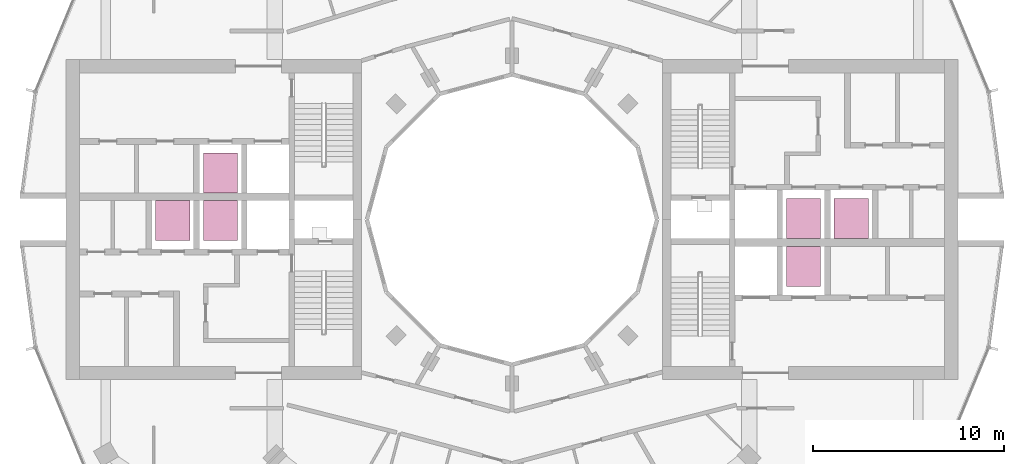
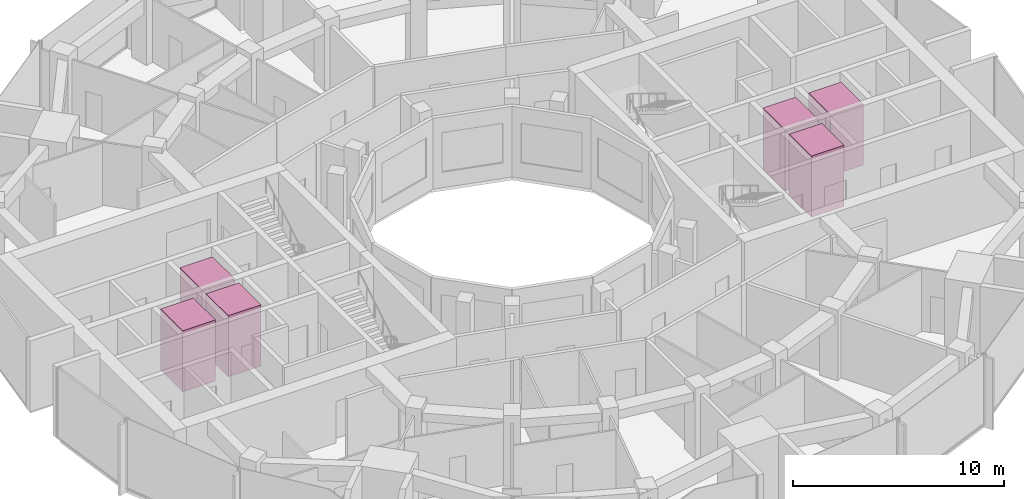
# One storey, part 15 of 15: 6 transport elements.
"""IFC4 building model written with IfcOpenShell, lengths in metres."""

import ifcopenshell
import ifcopenshell.guid

model = None  # the IFC model being written
_history = None  # IfcOwnerHistory: only IFC2X3 demands one
_inside = {}  # id of a spatial element -> (the spatial element, [elements in it])
_under = {}  # id of a project, library or spatial element -> (it, [spatial elements below it])
_declared = {}  # id of a project -> (the project, [libraries it declares])
_typed = {}  # id of a type object -> (the type object, [elements of that type])
_made_of = {}  # id of a material, layer set ... -> (it, [elements and type objects made of it])


def new_model(schema):
    """Start an empty IFC model of exactly this schema.

    Asked for "IFC4X3", IfcOpenShell would pick the latest addendum, in which some entities
    have other attributes; the version numbers below select the first issue.
    IFC2X3 requires an IfcOwnerHistory on every rooted entity: one is made here for all.
    """
    global model, _history
    if schema == "IFC4X3":
        model = ifcopenshell.file(schema_version=(4, 3, 0, 0))
    else:
        model = ifcopenshell.file(schema=schema)
    _inside.clear()
    _under.clear()
    _declared.clear()
    _typed.clear()
    _made_of.clear()
    _history = None
    if model.schema == "IFC2X3":
        org = make("IfcOrganization", Name="unknown")
        user = make(
            "IfcPersonAndOrganization",
            ThePerson=make("IfcPerson", FamilyName="unknown"),
            TheOrganization=org,
        )
        app = make(
            "IfcApplication",
            ApplicationDeveloper=org,
            Version="unknown",
            ApplicationFullName="unknown",
            ApplicationIdentifier="unknown",
        )
        _history = make(
            "IfcOwnerHistory",
            OwningUser=user,
            OwningApplication=app,
            ChangeAction="ADDED",
            CreationDate=0,
        )
    return model


def make(cls, **values):
    """One entity of the class cls with the attributes given. An attribute that is None is left unset."""
    return model.create_entity(
        cls, **{name: value for name, value in values.items() if value is not None}
    )


def rooted(cls, **values):
    """An entity with a GlobalId (a new one), such as an element, a storey or a relation."""
    return make(cls, GlobalId=ifcopenshell.guid.new(), OwnerHistory=_history, **values)


def si_unit(unit_type, name, prefix=None):
    """IfcSIUnit, for example si_unit("LENGTHUNIT", "METRE", prefix="MILLI")."""
    return make("IfcSIUnit", UnitType=unit_type, Prefix=prefix, Name=name)


def assignment(units):
    """IfcUnitAssignment: the units of a project."""
    return None if units is None else make("IfcUnitAssignment", Units=units)


def point(xyz):
    """IfcCartesianPoint."""
    return None if xyz is None else make("IfcCartesianPoint", Coordinates=xyz)


def direction(xyz):
    """IfcDirection."""
    return None if xyz is None else make("IfcDirection", DirectionRatios=xyz)


def frame(location, z_axis=None, x_axis=None):
    """IfcAxis2Placement3D, a coordinate frame: its origin and axes. An axis left out is left unset."""
    return make(
        "IfcAxis2Placement3D",
        Location=point(location),
        Axis=direction(z_axis),
        RefDirection=direction(x_axis),
    )


def frame_2d(location, x_axis=None):
    """IfcAxis2Placement2D, a coordinate frame in the plane: its origin and x axis."""
    return make(
        "IfcAxis2Placement2D", Location=point(location), RefDirection=direction(x_axis)
    )


def origin():
    """The frame at (0, 0, 0) with its axes left unset."""
    return frame((0.0, 0.0, 0.0))


def origin_2d():
    """The frame at (0, 0) in the plane with its x axis left unset."""
    return frame_2d((0.0, 0.0))


def place(relative_to, where):
    """IfcLocalPlacement: puts the frame where relative to a parent placement (None: the world)."""
    return make(
        "IfcLocalPlacement", PlacementRelTo=relative_to, RelativePlacement=where
    )


def context(
    kind, dimensions, precision=None, world=None, true_north=None, identifier=None
):
    """IfcGeometricRepresentationContext, for example the 3D "Model" context."""
    return make(
        "IfcGeometricRepresentationContext",
        ContextIdentifier=identifier,
        ContextType=kind,
        CoordinateSpaceDimension=dimensions,
        Precision=precision,
        WorldCoordinateSystem=world,
        TrueNorth=true_north,
    )


def subcontext(parent, identifier, kind, view, scale=None):
    """IfcGeometricRepresentationSubContext, for example "Body" below "Model"."""
    return make(
        "IfcGeometricRepresentationSubContext",
        ContextIdentifier=identifier,
        ContextType=kind,
        ParentContext=parent,
        TargetScale=scale,
        TargetView=view,
    )


def project(units=None, contexts=None):
    """IfcProject with its units and contexts."""
    return rooted(
        "IfcProject",
        Name="project",
        RepresentationContexts=contexts,
        UnitsInContext=assignment(units),
    )


def spatial(cls, under=None, at=None, **own):
    """A site, building, storey or space (cls), placed at a placement, below another one or the project."""
    s = rooted(cls, ObjectPlacement=at, **own)
    if under is not None:
        _under.setdefault(under.id(), (under, []))[1].append(s)
    return s


def profile(cls, at=None, kind="AREA", **sizes):
    """A parametric profile (cls). Its sizes go by their IFC names, for example OverallWidth=200.0."""
    return make(cls, ProfileType=kind, Position=at, **sizes)


def rectangle(**sizes):
    """IfcRectangleProfileDef."""
    return profile("IfcRectangleProfileDef", **sizes)


def extrude(swept, where, along, depth):
    """IfcExtrudedAreaSolid: the profile swept, set in the frame where, extruded along a direction by depth."""
    return make(
        "IfcExtrudedAreaSolid",
        SweptArea=swept,
        Position=where,
        ExtrudedDirection=direction(along),
        Depth=depth,
    )


def shape(context_of_items, identifier, shape_type, items):
    """IfcShapeRepresentation: the items that make up one representation, for example the "Body"."""
    return make(
        "IfcShapeRepresentation",
        ContextOfItems=context_of_items,
        RepresentationIdentifier=identifier,
        RepresentationType=shape_type,
        Items=items,
    )


def material(Name=None, Category=None):
    """IfcMaterial."""
    return make("IfcMaterial", Name=Name, Category=Category)


def made_of(thing, what):
    """Note that an element or type object is made of a material, layer set ...; save() writes the relation."""
    if what is not None:
        _made_of.setdefault(what.id(), (what, []))[1].append(thing)
    return thing


def type_object(cls, material=None, **own):
    """A type object (cls), such as IfcWallType, which elements share."""
    return made_of(rooted(cls, **own), material)


def element(
    cls,
    number,
    at=None,
    inside=None,
    cuts=None,
    type_object=None,
    material=None,
    context=None,
    identifier="Body",
    shape_type=None,
    held_by="IfcProductDefinitionShape",
    body=None,
    shapes=None,
    **own,
):
    """One element of the class cls, such as IfcWall. Its Tag is "e" and its number.

    at: its placement. inside: the storey or other place that contains it. cuts: it is an
    opening in that element (IfcRelVoidsElement). A single representation is given by context,
    identifier, shape_type and body (its items); several are given by shapes. held_by: the class
    of the entity that holds the representations. save() writes the other relations.
    """
    e = rooted(cls, Tag="e%d" % number, ObjectPlacement=at, **own)
    if body is not None:
        shapes = [shape(context, identifier, shape_type, body)]
    if shapes is not None:
        e.Representation = make(held_by, Representations=shapes)
    if inside is not None:
        _inside.setdefault(inside.id(), (inside, []))[1].append(e)
    if cuts is not None:
        rooted(
            "IfcRelVoidsElement", RelatingBuildingElement=cuts, RelatedOpeningElement=e
        )
    if type_object is not None:
        _typed.setdefault(type_object.id(), (type_object, []))[1].append(e)
    return made_of(e, material)


def aggregate(whole, parts):
    """IfcRelAggregates: a whole, such as a stair, and the parts it consists of."""
    return rooted("IfcRelAggregates", RelatingObject=whole, RelatedObjects=parts)


def save(model, path):
    """Write the relations noted so far, then the file.

    IfcRelAggregates (storeys below a building ...), IfcRelContainedInSpatialStructure (elements
    in a storey), IfcRelDefinesByType, IfcRelAssociatesMaterial and IfcRelDeclares: one each for
    every whole, place, type object, material and project.
    """
    for whole, parts in _under.values():
        aggregate(whole, parts)
    for where, things in _inside.values():
        rooted(
            "IfcRelContainedInSpatialStructure",
            RelatedElements=things,
            RelatingStructure=where,
        )
    for kind, things in _typed.values():
        rooted("IfcRelDefinesByType", RelatedObjects=things, RelatingType=kind)
    for what, things in _made_of.values():
        rooted("IfcRelAssociatesMaterial", RelatedObjects=things, RelatingMaterial=what)
    for by, libraries in _declared.values():
        rooted("IfcRelDeclares", RelatingContext=by, RelatedDefinitions=libraries)
    model.write(path)


model = new_model("IFC4")

# Units and contexts
model_context = context("Model", 3, precision=1e-05, world=origin(), true_north=direction((0.0, 1.0)))
body_context = subcontext(model_context, "Body", "Model", "MODEL_VIEW")
ifc_project = project(units=[si_unit("LENGTHUNIT", "METRE"), si_unit("AREAUNIT", "SQUARE_METRE"), si_unit("VOLUMEUNIT", "CUBIC_METRE"), si_unit("PLANEANGLEUNIT", "RADIAN"), si_unit("MASSUNIT", "GRAM", prefix="KILO")], contexts=[model_context])

# Site, building, storey
site_placement = place(None, origin())
site = spatial("IfcSite", under=ifc_project, at=site_placement, CompositionType="ELEMENT")
building_placement = place(site_placement, origin())
building = spatial("IfcBuilding", under=site, at=building_placement, Name="Torre Brocal", CompositionType="ELEMENT")
storey_placement = place(building_placement, frame((0.0, 0.0, 157.699951171875)))
storey = spatial("IfcBuildingStorey", under=building, at=storey_placement, Name="L36", CompositionType="ELEMENT", Elevation=157.699951171875)

# Transport elements
ifc_material = material(Name="Stainless steel AISI 316", Category="steel")
transport_element_type = type_object("IfcTransportElementType", Name="PASSENGER LIFT", PredefinedType="ELEVATOR", material=ifc_material)
for number, where, z_axis, x_axis, name in (
    (1, (95.300048828125, 75.050048828125, 0.0), (0.0, 0.0, 1.0), (1.0, 0.0, 0.0), "HIGH RISE LIFT E-HR1"),
    (2, (95.300048828125, 72.550048828125, 0.0), (0.0, 0.0, 1.0), (1.0, 0.0, 0.0), "HIGH RISE LIFT E-HR2"),
    (3, (97.800048828125, 75.050048828125, 0.0), (0.0, 0.0, 1.0), (1.0, 0.0, 0.0), "HIGH RISE LIFT E-HR3"),
    (4, (64.699951171875, 74.949951171875, 0.0), (0.0, 0.0, 1.0), (1.0, 0.0, 0.0), "HIGH RISE LIFT W-HR1"),
    (5, (64.699951171875, 77.449951171875, 0.0), (0.0, 0.0, 1.0), (1.0, 0.0, 0.0), "HIGH RISE LIFT W-HR2"),
    (6, (62.199951171875, 74.949951171875, 0.0), (0.0, 0.0, 1.0), (1.0, 0.0, 0.0), "HIGH RISE LIFT W-HR3"),
):
    element("IfcTransportElement", number, at=place(storey_placement, frame(where, z_axis=z_axis, x_axis=x_axis)), inside=storey, type_object=transport_element_type, Name=name, PredefinedType="ELEVATOR", context=body_context, shape_type="SweptSolid", body=[
        extrude(rectangle(XDim=1.800048828125, YDim=2.10009765625, at=origin_2d()), origin(), (0.0, 0.0, 1.0), 3.550048828125),
    ])

save(model, "model.ifc")
